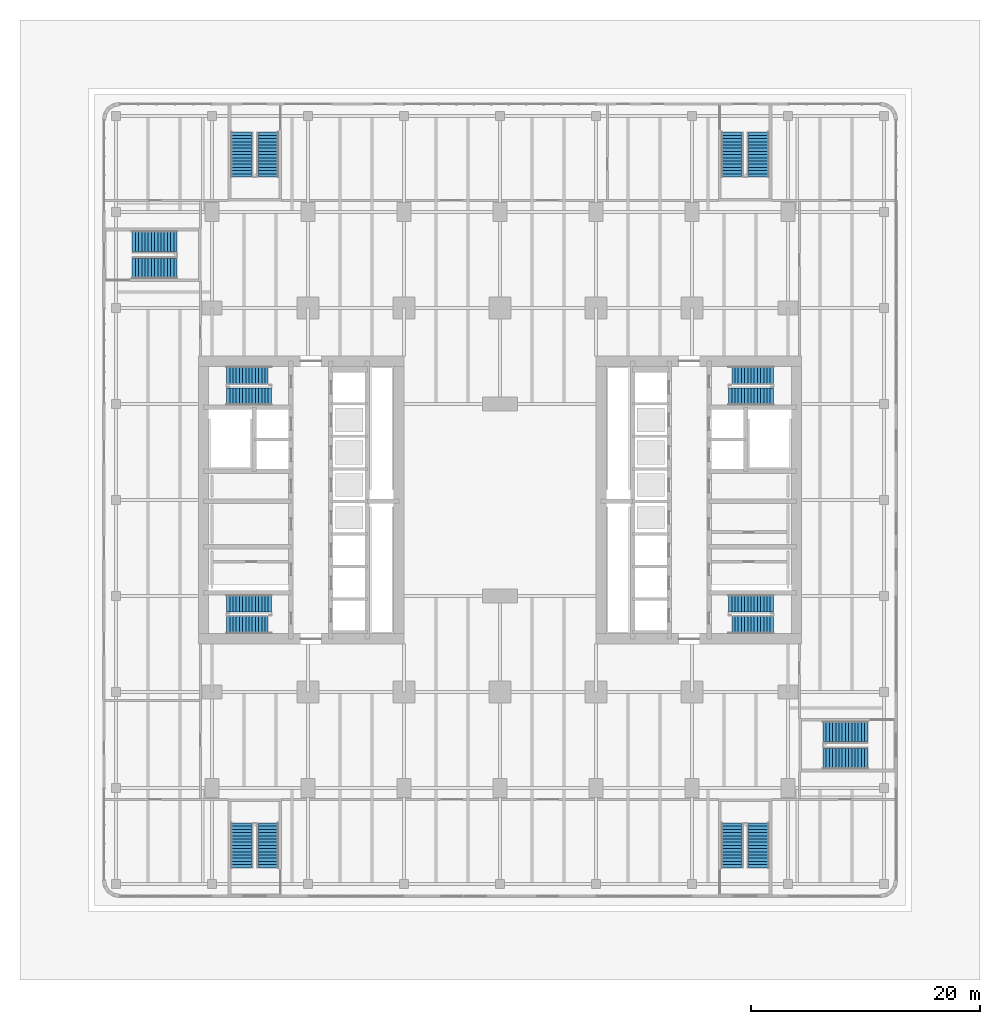
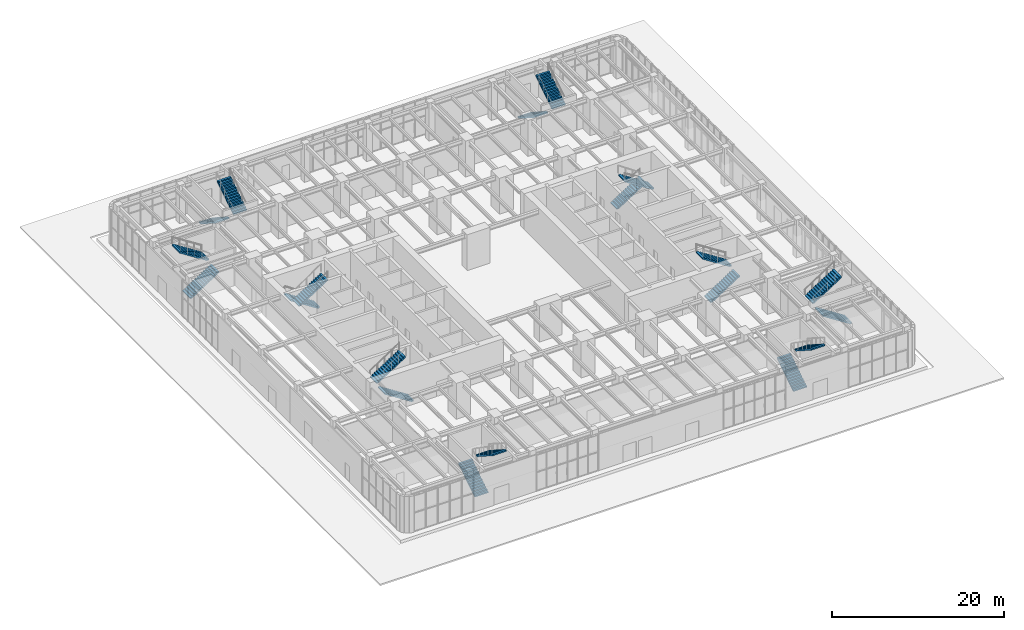
# One storey, part 23 of 31: 20 stair flights, 10 elements without a shape of their own.
"""IFC4 building model written with IfcOpenShell, lengths in metres."""

from ifc_helpers import new_model, si_unit, direction, frame, origin, place, context, subcontext, project, spatial, polyline, outline, extrude, material, type_object, element, aggregate, save


model = new_model("IFC4")

# Units and contexts
model_context = context("Model", 3, precision=1e-05, world=origin(), true_north=direction((0.0, 1.0)))
body_context = subcontext(model_context, "Body", "Model", "MODEL_VIEW")
ifc_project = project(units=[si_unit("LENGTHUNIT", "METRE"), si_unit("AREAUNIT", "SQUARE_METRE"), si_unit("VOLUMEUNIT", "CUBIC_METRE"), si_unit("PLANEANGLEUNIT", "RADIAN"), si_unit("MASSUNIT", "GRAM", prefix="KILO")], contexts=[model_context])

# Site, building, storey
site_placement = place(None, origin())
site = spatial("IfcSite", under=ifc_project, at=site_placement, CompositionType="ELEMENT")
building_placement = place(site_placement, origin())
building = spatial("IfcBuilding", under=site, at=building_placement, Name="Claustro Exchange Tower", CompositionType="ELEMENT")
storey_placement = place(building_placement, origin())
storey = spatial("IfcBuildingStorey", under=building, at=storey_placement, Name="L00", CompositionType="ELEMENT", Elevation=0.0)

# Stair, stair flights
ifc_material_1 = material(Name="Concrete HA-30 (C30/37), precast", Category="concrete")
stair_type_1 = type_object("IfcStairType", Name="ST3 half-turn stair, 30 risers of 180", PredefinedType="HALF_TURN_STAIR", material=ifc_material_1)
stair_1_placement = place(storey_placement, origin())
stair_1 = element("IfcStair", 1, at=stair_1_placement, inside=storey, type_object=stair_type_1, Name="Stair STWA L00", PredefinedType="HALF_TURN_STAIR")
ifc_material_2 = material(Name="Concrete HA-30 (C30/37), precast", Category="concrete")
stair_flight_type_1 = type_object("IfcStairFlightType", Name="SF15 straight flight, 15 risers of 180, 1500 wide", PredefinedType="STRAIGHT", material=ifc_material_2)
stair_flight_1_placement = place(storey_placement, frame((5.199951171875, 14.25, 0.0), z_axis=(0.0, 0.0, 1.0), x_axis=(-1.0, 0.0, 0.0)))
stair_flight_1 = element("IfcStairFlight", 2, at=stair_flight_1_placement, type_object=stair_flight_type_1, Name="STWA flight 1", NumberOfRisers=15, NumberOfTreads=14, PredefinedType="STRAIGHT", RiserHeight=0.18, TreadLength=0.28, context=body_context, shape_type="SweptSolid", body=[
    extrude(outline(polyline([(0.0, 0.0), (0.0, 0.179931640625), (0.280029296875, 0.179931640625), (0.280029296875, 0.360107421875), (0.56005859375, 0.360107421875), (0.56005859375, 0.5400390625), (0.840087890625, 0.5400390625), (0.840087890625, 0.719970703125), (1.1201171875, 0.719970703125), (1.1201171875, 0.89990234375), (1.39990234375, 0.89990234375), (1.39990234375, 1.080078125), (1.679931640625, 1.080078125), (1.679931640625, 1.260009765625), (1.9599609375, 1.260009765625), (1.9599609375, 1.43994140625), (2.239990234375, 1.43994140625), (2.239990234375, 1.6201171875), (2.52001953125, 1.6201171875), (2.52001953125, 1.800048828125), (2.800048828125, 1.800048828125), (2.800048828125, 1.97998046875), (3.080078125, 1.97998046875), (3.080078125, 2.159912109375), (3.360107421875, 2.159912109375), (3.360107421875, 2.340087890625), (3.639892578125, 2.340087890625), (3.639892578125, 2.52001953125), (3.919921875, 2.52001953125), (3.919921875, 2.699951171875), (3.919921875, 2.341796875), (0.277099609375, 0.0), (0.0, 0.0)])), frame((0.0, 0.75, 0.0), z_axis=(0.0, -1.0, 0.0), x_axis=(1.0, 0.0, 0.0)), (0.0, 0.0, 1.0), 1.5),
])
stair_flight_2_placement = place(storey_placement, frame((1.280029296875, 16.14990234375, 2.699951171875), z_axis=(0.0, 0.0, 1.0), x_axis=(1.0, 0.0, 0.0)))
stair_flight_2 = element("IfcStairFlight", 3, at=stair_flight_2_placement, type_object=stair_flight_type_1, Name="STWA flight 2", NumberOfRisers=15, NumberOfTreads=14, PredefinedType="STRAIGHT", RiserHeight=0.18, TreadLength=0.28, context=body_context, shape_type="SweptSolid", body=[
    extrude(outline(polyline([(0.0, 0.0), (0.0, 0.179931640625), (0.280029296875, 0.179931640625), (0.280029296875, 0.360107421875), (0.56005859375, 0.360107421875), (0.56005859375, 0.5400390625), (0.840087890625, 0.5400390625), (0.840087890625, 0.719970703125), (1.1201171875, 0.719970703125), (1.1201171875, 0.89990234375), (1.39990234375, 0.89990234375), (1.39990234375, 1.080078125), (1.679931640625, 1.080078125), (1.679931640625, 1.260009765625), (1.9599609375, 1.260009765625), (1.9599609375, 1.43994140625), (2.239990234375, 1.43994140625), (2.239990234375, 1.6201171875), (2.52001953125, 1.6201171875), (2.52001953125, 1.800048828125), (2.800048828125, 1.800048828125), (2.800048828125, 1.97998046875), (3.080078125, 1.97998046875), (3.080078125, 2.159912109375), (3.360107421875, 2.159912109375), (3.360107421875, 2.340087890625), (3.639892578125, 2.340087890625), (3.639892578125, 2.52001953125), (3.919921875, 2.52001953125), (3.919921875, 2.699951171875), (3.919921875, 2.341796875), (0.277099609375, 0.0), (0.0, 0.0)])), frame((0.0, 0.75, 0.0), z_axis=(0.0, -1.0, 0.0), x_axis=(1.0, 0.0, 0.0)), (0.0, 0.0, 1.0), 1.5),
])
aggregate(stair_1, [stair_flight_1, stair_flight_2])

stair_2_placement = place(storey_placement, origin())
stair_2 = element("IfcStair", 4, at=stair_2_placement, inside=storey, type_object=stair_type_1, Name="Stair STWB L00", PredefinedType="HALF_TURN_STAIR")
stair_flight_3_placement = place(storey_placement, frame((5.199951171875, 36.14990234375, 0.0), z_axis=(0.0, 0.0, 1.0), x_axis=(-1.0, 0.0, 0.0)))
stair_flight_3 = element("IfcStairFlight", 5, at=stair_flight_3_placement, type_object=stair_flight_type_1, Name="STWB flight 1", NumberOfRisers=15, NumberOfTreads=14, PredefinedType="STRAIGHT", RiserHeight=0.18, TreadLength=0.28, context=body_context, shape_type="SweptSolid", body=[
    extrude(outline(polyline([(0.0, 0.0), (0.0, 0.179931640625), (0.280029296875, 0.179931640625), (0.280029296875, 0.360107421875), (0.56005859375, 0.360107421875), (0.56005859375, 0.5400390625), (0.840087890625, 0.5400390625), (0.840087890625, 0.719970703125), (1.1201171875, 0.719970703125), (1.1201171875, 0.89990234375), (1.39990234375, 0.89990234375), (1.39990234375, 1.080078125), (1.679931640625, 1.080078125), (1.679931640625, 1.260009765625), (1.9599609375, 1.260009765625), (1.9599609375, 1.43994140625), (2.239990234375, 1.43994140625), (2.239990234375, 1.6201171875), (2.52001953125, 1.6201171875), (2.52001953125, 1.800048828125), (2.800048828125, 1.800048828125), (2.800048828125, 1.97998046875), (3.080078125, 1.97998046875), (3.080078125, 2.159912109375), (3.360107421875, 2.159912109375), (3.360107421875, 2.340087890625), (3.639892578125, 2.340087890625), (3.639892578125, 2.52001953125), (3.919921875, 2.52001953125), (3.919921875, 2.699951171875), (3.919921875, 2.341796875), (0.277099609375, 0.0), (0.0, 0.0)])), frame((0.0, 0.75, 0.0), z_axis=(0.0, -1.0, 0.0), x_axis=(1.0, 0.0, 0.0)), (0.0, 0.0, 1.0), 1.5),
])
stair_flight_4_placement = place(storey_placement, frame((1.280029296875, 34.25, 2.699951171875), z_axis=(0.0, 0.0, 1.0), x_axis=(1.0, 0.0, 0.0)))
stair_flight_4 = element("IfcStairFlight", 6, at=stair_flight_4_placement, type_object=stair_flight_type_1, Name="STWB flight 2", NumberOfRisers=15, NumberOfTreads=14, PredefinedType="STRAIGHT", RiserHeight=0.18, TreadLength=0.28, context=body_context, shape_type="SweptSolid", body=[
    extrude(outline(polyline([(0.0, 0.0), (0.0, 0.179931640625), (0.280029296875, 0.179931640625), (0.280029296875, 0.360107421875), (0.56005859375, 0.360107421875), (0.56005859375, 0.5400390625), (0.840087890625, 0.5400390625), (0.840087890625, 0.719970703125), (1.1201171875, 0.719970703125), (1.1201171875, 0.89990234375), (1.39990234375, 0.89990234375), (1.39990234375, 1.080078125), (1.679931640625, 1.080078125), (1.679931640625, 1.260009765625), (1.9599609375, 1.260009765625), (1.9599609375, 1.43994140625), (2.239990234375, 1.43994140625), (2.239990234375, 1.6201171875), (2.52001953125, 1.6201171875), (2.52001953125, 1.800048828125), (2.800048828125, 1.800048828125), (2.800048828125, 1.97998046875), (3.080078125, 1.97998046875), (3.080078125, 2.159912109375), (3.360107421875, 2.159912109375), (3.360107421875, 2.340087890625), (3.639892578125, 2.340087890625), (3.639892578125, 2.52001953125), (3.919921875, 2.52001953125), (3.919921875, 2.699951171875), (3.919921875, 2.341796875), (0.277099609375, 0.0), (0.0, 0.0)])), frame((0.0, 0.75, 0.0), z_axis=(0.0, -1.0, 0.0), x_axis=(1.0, 0.0, 0.0)), (0.0, 0.0, 1.0), 1.5),
])
aggregate(stair_2, [stair_flight_3, stair_flight_4])

stair_3_placement = place(storey_placement, origin())
stair_3 = element("IfcStair", 7, at=stair_3_placement, inside=storey, type_object=stair_type_1, Name="Stair STEA L00", PredefinedType="HALF_TURN_STAIR")
stair_flight_5_placement = place(storey_placement, frame((45.199951171875, 14.25, 0.0), z_axis=(0.0, 0.0, 1.0), x_axis=(1.0, 0.0, 0.0)))
stair_flight_5 = element("IfcStairFlight", 8, at=stair_flight_5_placement, type_object=stair_flight_type_1, Name="STEA flight 1", NumberOfRisers=15, NumberOfTreads=14, PredefinedType="STRAIGHT", RiserHeight=0.18, TreadLength=0.28, context=body_context, shape_type="SweptSolid", body=[
    extrude(outline(polyline([(0.0, 0.0), (0.0, 0.179931640625), (0.280029296875, 0.179931640625), (0.280029296875, 0.360107421875), (0.56005859375, 0.360107421875), (0.56005859375, 0.5400390625), (0.840087890625, 0.5400390625), (0.840087890625, 0.719970703125), (1.1201171875, 0.719970703125), (1.1201171875, 0.89990234375), (1.39990234375, 0.89990234375), (1.39990234375, 1.080078125), (1.679931640625, 1.080078125), (1.679931640625, 1.260009765625), (1.9599609375, 1.260009765625), (1.9599609375, 1.43994140625), (2.239990234375, 1.43994140625), (2.239990234375, 1.6201171875), (2.52001953125, 1.6201171875), (2.52001953125, 1.800048828125), (2.800048828125, 1.800048828125), (2.800048828125, 1.97998046875), (3.080078125, 1.97998046875), (3.080078125, 2.159912109375), (3.360107421875, 2.159912109375), (3.360107421875, 2.340087890625), (3.639892578125, 2.340087890625), (3.639892578125, 2.52001953125), (3.919921875, 2.52001953125), (3.919921875, 2.699951171875), (3.919921875, 2.341796875), (0.277099609375, 0.0), (0.0, 0.0)])), frame((0.0, 0.75, 0.0), z_axis=(0.0, -1.0, 0.0), x_axis=(1.0, 0.0, 0.0)), (0.0, 0.0, 1.0), 1.5),
])
stair_flight_6_placement = place(storey_placement, frame((49.1201171875, 16.14990234375, 2.699951171875), z_axis=(0.0, 0.0, 1.0), x_axis=(-1.0, 0.0, 0.0)))
stair_flight_6 = element("IfcStairFlight", 9, at=stair_flight_6_placement, type_object=stair_flight_type_1, Name="STEA flight 2", NumberOfRisers=15, NumberOfTreads=14, PredefinedType="STRAIGHT", RiserHeight=0.18, TreadLength=0.28, context=body_context, shape_type="SweptSolid", body=[
    extrude(outline(polyline([(0.0, 0.0), (0.0, 0.179931640625), (0.280029296875, 0.179931640625), (0.280029296875, 0.360107421875), (0.56005859375, 0.360107421875), (0.56005859375, 0.5400390625), (0.840087890625, 0.5400390625), (0.840087890625, 0.719970703125), (1.1201171875, 0.719970703125), (1.1201171875, 0.89990234375), (1.39990234375, 0.89990234375), (1.39990234375, 1.080078125), (1.679931640625, 1.080078125), (1.679931640625, 1.260009765625), (1.9599609375, 1.260009765625), (1.9599609375, 1.43994140625), (2.239990234375, 1.43994140625), (2.239990234375, 1.6201171875), (2.52001953125, 1.6201171875), (2.52001953125, 1.800048828125), (2.800048828125, 1.800048828125), (2.800048828125, 1.97998046875), (3.080078125, 1.97998046875), (3.080078125, 2.159912109375), (3.360107421875, 2.159912109375), (3.360107421875, 2.340087890625), (3.639892578125, 2.340087890625), (3.639892578125, 2.52001953125), (3.919921875, 2.52001953125), (3.919921875, 2.699951171875), (3.919921875, 2.341796875), (0.277099609375, 0.0), (0.0, 0.0)])), frame((0.0, 0.75, 0.0), z_axis=(0.0, -1.0, 0.0), x_axis=(1.0, 0.0, 0.0)), (0.0, 0.0, 1.0), 1.5),
])
aggregate(stair_3, [stair_flight_5, stair_flight_6])

stair_4_placement = place(storey_placement, origin())
stair_4 = element("IfcStair", 10, at=stair_4_placement, inside=storey, type_object=stair_type_1, Name="Stair STEB L00", PredefinedType="HALF_TURN_STAIR")
stair_flight_7_placement = place(storey_placement, frame((45.199951171875, 36.14990234375, 0.0), z_axis=(0.0, 0.0, 1.0), x_axis=(1.0, 0.0, 0.0)))
stair_flight_7 = element("IfcStairFlight", 11, at=stair_flight_7_placement, type_object=stair_flight_type_1, Name="STEB flight 1", NumberOfRisers=15, NumberOfTreads=14, PredefinedType="STRAIGHT", RiserHeight=0.18, TreadLength=0.28, context=body_context, shape_type="SweptSolid", body=[
    extrude(outline(polyline([(0.0, 0.0), (0.0, 0.179931640625), (0.280029296875, 0.179931640625), (0.280029296875, 0.360107421875), (0.56005859375, 0.360107421875), (0.56005859375, 0.5400390625), (0.840087890625, 0.5400390625), (0.840087890625, 0.719970703125), (1.1201171875, 0.719970703125), (1.1201171875, 0.89990234375), (1.39990234375, 0.89990234375), (1.39990234375, 1.080078125), (1.679931640625, 1.080078125), (1.679931640625, 1.260009765625), (1.9599609375, 1.260009765625), (1.9599609375, 1.43994140625), (2.239990234375, 1.43994140625), (2.239990234375, 1.6201171875), (2.52001953125, 1.6201171875), (2.52001953125, 1.800048828125), (2.800048828125, 1.800048828125), (2.800048828125, 1.97998046875), (3.080078125, 1.97998046875), (3.080078125, 2.159912109375), (3.360107421875, 2.159912109375), (3.360107421875, 2.340087890625), (3.639892578125, 2.340087890625), (3.639892578125, 2.52001953125), (3.919921875, 2.52001953125), (3.919921875, 2.699951171875), (3.919921875, 2.341796875), (0.277099609375, 0.0), (0.0, 0.0)])), frame((0.0, 0.75, 0.0), z_axis=(0.0, -1.0, 0.0), x_axis=(1.0, 0.0, 0.0)), (0.0, 0.0, 1.0), 1.5),
])
stair_flight_8_placement = place(storey_placement, frame((49.1201171875, 34.25, 2.699951171875), z_axis=(0.0, 0.0, 1.0), x_axis=(-1.0, 0.0, 0.0)))
stair_flight_8 = element("IfcStairFlight", 12, at=stair_flight_8_placement, type_object=stair_flight_type_1, Name="STEB flight 2", NumberOfRisers=15, NumberOfTreads=14, PredefinedType="STRAIGHT", RiserHeight=0.18, TreadLength=0.28, context=body_context, shape_type="SweptSolid", body=[
    extrude(outline(polyline([(0.0, 0.0), (0.0, 0.179931640625), (0.280029296875, 0.179931640625), (0.280029296875, 0.360107421875), (0.56005859375, 0.360107421875), (0.56005859375, 0.5400390625), (0.840087890625, 0.5400390625), (0.840087890625, 0.719970703125), (1.1201171875, 0.719970703125), (1.1201171875, 0.89990234375), (1.39990234375, 0.89990234375), (1.39990234375, 1.080078125), (1.679931640625, 1.080078125), (1.679931640625, 1.260009765625), (1.9599609375, 1.260009765625), (1.9599609375, 1.43994140625), (2.239990234375, 1.43994140625), (2.239990234375, 1.6201171875), (2.52001953125, 1.6201171875), (2.52001953125, 1.800048828125), (2.800048828125, 1.800048828125), (2.800048828125, 1.97998046875), (3.080078125, 1.97998046875), (3.080078125, 2.159912109375), (3.360107421875, 2.159912109375), (3.360107421875, 2.340087890625), (3.639892578125, 2.340087890625), (3.639892578125, 2.52001953125), (3.919921875, 2.52001953125), (3.919921875, 2.699951171875), (3.919921875, 2.341796875), (0.277099609375, 0.0), (0.0, 0.0)])), frame((0.0, 0.75, 0.0), z_axis=(0.0, -1.0, 0.0), x_axis=(1.0, 0.0, 0.0)), (0.0, 0.0, 1.0), 1.5),
])
aggregate(stair_4, [stair_flight_7, stair_flight_8])

ifc_material_3 = material(Name="Concrete HA-30 (C30/37), precast", Category="concrete")
stair_type_2 = type_object("IfcStairType", Name="ST4 half-turn podium escape stair, 30 risers of 180, 1800 flights", PredefinedType="HALF_TURN_STAIR", material=ifc_material_3)
stair_5_placement = place(storey_placement, origin())
stair_5 = element("IfcStair", 13, at=stair_5_placement, inside=storey, type_object=stair_type_2, Name="Stair STP1 L00", PredefinedType="HALF_TURN_STAIR")
ifc_material_4 = material(Name="Concrete HA-30 (C30/37), precast", Category="concrete")
stair_flight_type_2 = type_object("IfcStairFlightType", Name="SFP15 straight flight, 15 risers of 180, 1800 wide", PredefinedType="STRAIGHT", material=ifc_material_4)
stair_flight_9_placement = place(storey_placement, frame((2.550048828125, -6.97998046875, 0.0), z_axis=(0.0, 0.0, 1.0), x_axis=(0.0, 1.0, 0.0)))
stair_flight_9 = element("IfcStairFlight", 14, at=stair_flight_9_placement, type_object=stair_flight_type_2, Name="STP1 flight 1", NumberOfRisers=15, NumberOfTreads=14, PredefinedType="STRAIGHT", RiserHeight=0.18, TreadLength=0.28, context=body_context, shape_type="SweptSolid", body=[
    extrude(outline(polyline([(0.0, 0.0), (0.0, 0.179931640625), (0.280029296875, 0.179931640625), (0.280029296875, 0.360107421875), (0.56005859375, 0.360107421875), (0.56005859375, 0.5400390625), (0.840087890625, 0.5400390625), (0.840087890625, 0.719970703125), (1.1201171875, 0.719970703125), (1.1201171875, 0.89990234375), (1.39990234375, 0.89990234375), (1.39990234375, 1.080078125), (1.679931640625, 1.080078125), (1.679931640625, 1.260009765625), (1.9599609375, 1.260009765625), (1.9599609375, 1.43994140625), (2.239990234375, 1.43994140625), (2.239990234375, 1.6201171875), (2.52001953125, 1.6201171875), (2.52001953125, 1.800048828125), (2.800048828125, 1.800048828125), (2.800048828125, 1.97998046875), (3.080078125, 1.97998046875), (3.080078125, 2.159912109375), (3.360107421875, 2.159912109375), (3.360107421875, 2.340087890625), (3.639892578125, 2.340087890625), (3.639892578125, 2.52001953125), (3.919921875, 2.52001953125), (3.919921875, 2.699951171875), (3.919921875, 2.341796875), (0.277099609375, 0.0), (0.0, 0.0)])), frame((0.0, 0.89990234375, 0.0), z_axis=(0.0, -1.0, 0.0), x_axis=(1.0, 0.0, 0.0)), (0.0, 0.0, 1.0), 1.800048828125),
])
stair_flight_10_placement = place(storey_placement, frame((4.949951171875, -3.06005859375, 2.699951171875), z_axis=(0.0, 0.0, 1.0), x_axis=(0.0, -1.0, 0.0)))
stair_flight_10 = element("IfcStairFlight", 15, at=stair_flight_10_placement, type_object=stair_flight_type_2, Name="STP1 flight 2", NumberOfRisers=15, NumberOfTreads=14, PredefinedType="STRAIGHT", RiserHeight=0.18, TreadLength=0.28, context=body_context, shape_type="SweptSolid", body=[
    extrude(outline(polyline([(0.0, 0.0), (0.0, 0.179931640625), (0.280029296875, 0.179931640625), (0.280029296875, 0.360107421875), (0.56005859375, 0.360107421875), (0.56005859375, 0.5400390625), (0.840087890625, 0.5400390625), (0.840087890625, 0.719970703125), (1.1201171875, 0.719970703125), (1.1201171875, 0.89990234375), (1.39990234375, 0.89990234375), (1.39990234375, 1.080078125), (1.679931640625, 1.080078125), (1.679931640625, 1.260009765625), (1.9599609375, 1.260009765625), (1.9599609375, 1.43994140625), (2.239990234375, 1.43994140625), (2.239990234375, 1.6201171875), (2.52001953125, 1.6201171875), (2.52001953125, 1.800048828125), (2.800048828125, 1.800048828125), (2.800048828125, 1.97998046875), (3.080078125, 1.97998046875), (3.080078125, 2.159912109375), (3.360107421875, 2.159912109375), (3.360107421875, 2.340087890625), (3.639892578125, 2.340087890625), (3.639892578125, 2.52001953125), (3.919921875, 2.52001953125), (3.919921875, 2.699951171875), (3.919921875, 2.341796875), (0.277099609375, 0.0), (0.0, 0.0)])), frame((0.0, 0.89990234375, 0.0), z_axis=(0.0, -1.0, 0.0), x_axis=(1.0, 0.0, 0.0)), (0.0, 0.0, 1.0), 1.800048828125),
])
aggregate(stair_5, [stair_flight_9, stair_flight_10])

stair_6_placement = place(storey_placement, origin())
stair_6 = element("IfcStair", 16, at=stair_6_placement, inside=storey, type_object=stair_type_2, Name="Stair STP2 L00", PredefinedType="HALF_TURN_STAIR")
stair_flight_11_placement = place(storey_placement, frame((45.449951171875, -6.97998046875, 0.0), z_axis=(0.0, 0.0, 1.0), x_axis=(0.0, 1.0, 0.0)))
stair_flight_11 = element("IfcStairFlight", 17, at=stair_flight_11_placement, type_object=stair_flight_type_2, Name="STP2 flight 1", NumberOfRisers=15, NumberOfTreads=14, PredefinedType="STRAIGHT", RiserHeight=0.18, TreadLength=0.28, context=body_context, shape_type="SweptSolid", body=[
    extrude(outline(polyline([(0.0, 0.0), (0.0, 0.179931640625), (0.280029296875, 0.179931640625), (0.280029296875, 0.360107421875), (0.56005859375, 0.360107421875), (0.56005859375, 0.5400390625), (0.840087890625, 0.5400390625), (0.840087890625, 0.719970703125), (1.1201171875, 0.719970703125), (1.1201171875, 0.89990234375), (1.39990234375, 0.89990234375), (1.39990234375, 1.080078125), (1.679931640625, 1.080078125), (1.679931640625, 1.260009765625), (1.9599609375, 1.260009765625), (1.9599609375, 1.43994140625), (2.239990234375, 1.43994140625), (2.239990234375, 1.6201171875), (2.52001953125, 1.6201171875), (2.52001953125, 1.800048828125), (2.800048828125, 1.800048828125), (2.800048828125, 1.97998046875), (3.080078125, 1.97998046875), (3.080078125, 2.159912109375), (3.360107421875, 2.159912109375), (3.360107421875, 2.340087890625), (3.639892578125, 2.340087890625), (3.639892578125, 2.52001953125), (3.919921875, 2.52001953125), (3.919921875, 2.699951171875), (3.919921875, 2.341796875), (0.277099609375, 0.0), (0.0, 0.0)])), frame((0.0, 0.89990234375, 0.0), z_axis=(0.0, -1.0, 0.0), x_axis=(1.0, 0.0, 0.0)), (0.0, 0.0, 1.0), 1.800048828125),
])
stair_flight_12_placement = place(storey_placement, frame((47.85009765625, -3.06005859375, 2.699951171875), z_axis=(0.0, 0.0, 1.0), x_axis=(0.0, -1.0, 0.0)))
stair_flight_12 = element("IfcStairFlight", 18, at=stair_flight_12_placement, type_object=stair_flight_type_2, Name="STP2 flight 2", NumberOfRisers=15, NumberOfTreads=14, PredefinedType="STRAIGHT", RiserHeight=0.18, TreadLength=0.28, context=body_context, shape_type="SweptSolid", body=[
    extrude(outline(polyline([(0.0, 0.0), (0.0, 0.179931640625), (0.280029296875, 0.179931640625), (0.280029296875, 0.360107421875), (0.56005859375, 0.360107421875), (0.56005859375, 0.5400390625), (0.840087890625, 0.5400390625), (0.840087890625, 0.719970703125), (1.1201171875, 0.719970703125), (1.1201171875, 0.89990234375), (1.39990234375, 0.89990234375), (1.39990234375, 1.080078125), (1.679931640625, 1.080078125), (1.679931640625, 1.260009765625), (1.9599609375, 1.260009765625), (1.9599609375, 1.43994140625), (2.239990234375, 1.43994140625), (2.239990234375, 1.6201171875), (2.52001953125, 1.6201171875), (2.52001953125, 1.800048828125), (2.800048828125, 1.800048828125), (2.800048828125, 1.97998046875), (3.080078125, 1.97998046875), (3.080078125, 2.159912109375), (3.360107421875, 2.159912109375), (3.360107421875, 2.340087890625), (3.639892578125, 2.340087890625), (3.639892578125, 2.52001953125), (3.919921875, 2.52001953125), (3.919921875, 2.699951171875), (3.919921875, 2.341796875), (0.277099609375, 0.0), (0.0, 0.0)])), frame((0.0, 0.89990234375, 0.0), z_axis=(0.0, -1.0, 0.0), x_axis=(1.0, 0.0, 0.0)), (0.0, 0.0, 1.0), 1.800048828125),
])
aggregate(stair_6, [stair_flight_11, stair_flight_12])

stair_7_placement = place(storey_placement, origin())
stair_7 = element("IfcStair", 19, at=stair_7_placement, inside=storey, type_object=stair_type_2, Name="Stair STP3 L00", PredefinedType="HALF_TURN_STAIR")
stair_flight_13_placement = place(storey_placement, frame((2.550048828125, 57.3798828125, 0.0), z_axis=(0.0, 0.0, 1.0), x_axis=(0.0, -1.0, 0.0)))
stair_flight_13 = element("IfcStairFlight", 20, at=stair_flight_13_placement, type_object=stair_flight_type_2, Name="STP3 flight 1", NumberOfRisers=15, NumberOfTreads=14, PredefinedType="STRAIGHT", RiserHeight=0.18, TreadLength=0.28, context=body_context, shape_type="SweptSolid", body=[
    extrude(outline(polyline([(0.0, 0.0), (0.0, 0.179931640625), (0.280029296875, 0.179931640625), (0.280029296875, 0.360107421875), (0.56005859375, 0.360107421875), (0.56005859375, 0.5400390625), (0.840087890625, 0.5400390625), (0.840087890625, 0.719970703125), (1.1201171875, 0.719970703125), (1.1201171875, 0.89990234375), (1.39990234375, 0.89990234375), (1.39990234375, 1.080078125), (1.679931640625, 1.080078125), (1.679931640625, 1.260009765625), (1.9599609375, 1.260009765625), (1.9599609375, 1.43994140625), (2.239990234375, 1.43994140625), (2.239990234375, 1.6201171875), (2.52001953125, 1.6201171875), (2.52001953125, 1.800048828125), (2.800048828125, 1.800048828125), (2.800048828125, 1.97998046875), (3.080078125, 1.97998046875), (3.080078125, 2.159912109375), (3.360107421875, 2.159912109375), (3.360107421875, 2.340087890625), (3.639892578125, 2.340087890625), (3.639892578125, 2.52001953125), (3.919921875, 2.52001953125), (3.919921875, 2.699951171875), (3.919921875, 2.341796875), (0.277099609375, 0.0), (0.0, 0.0)])), frame((0.0, 0.89990234375, 0.0), z_axis=(0.0, -1.0, 0.0), x_axis=(1.0, 0.0, 0.0)), (0.0, 0.0, 1.0), 1.800048828125),
])
stair_flight_14_placement = place(storey_placement, frame((4.949951171875, 53.4599609375, 2.699951171875), z_axis=(0.0, 0.0, 1.0), x_axis=(0.0, 1.0, 0.0)))
stair_flight_14 = element("IfcStairFlight", 21, at=stair_flight_14_placement, type_object=stair_flight_type_2, Name="STP3 flight 2", NumberOfRisers=15, NumberOfTreads=14, PredefinedType="STRAIGHT", RiserHeight=0.18, TreadLength=0.28, context=body_context, shape_type="SweptSolid", body=[
    extrude(outline(polyline([(0.0, 0.0), (0.0, 0.179931640625), (0.280029296875, 0.179931640625), (0.280029296875, 0.360107421875), (0.56005859375, 0.360107421875), (0.56005859375, 0.5400390625), (0.840087890625, 0.5400390625), (0.840087890625, 0.719970703125), (1.1201171875, 0.719970703125), (1.1201171875, 0.89990234375), (1.39990234375, 0.89990234375), (1.39990234375, 1.080078125), (1.679931640625, 1.080078125), (1.679931640625, 1.260009765625), (1.9599609375, 1.260009765625), (1.9599609375, 1.43994140625), (2.239990234375, 1.43994140625), (2.239990234375, 1.6201171875), (2.52001953125, 1.6201171875), (2.52001953125, 1.800048828125), (2.800048828125, 1.800048828125), (2.800048828125, 1.97998046875), (3.080078125, 1.97998046875), (3.080078125, 2.159912109375), (3.360107421875, 2.159912109375), (3.360107421875, 2.340087890625), (3.639892578125, 2.340087890625), (3.639892578125, 2.52001953125), (3.919921875, 2.52001953125), (3.919921875, 2.699951171875), (3.919921875, 2.341796875), (0.277099609375, 0.0), (0.0, 0.0)])), frame((0.0, 0.89990234375, 0.0), z_axis=(0.0, -1.0, 0.0), x_axis=(1.0, 0.0, 0.0)), (0.0, 0.0, 1.0), 1.800048828125),
])
aggregate(stair_7, [stair_flight_13, stair_flight_14])

stair_8_placement = place(storey_placement, origin())
stair_8 = element("IfcStair", 22, at=stair_8_placement, inside=storey, type_object=stair_type_2, Name="Stair STP4 L00", PredefinedType="HALF_TURN_STAIR")
stair_flight_15_placement = place(storey_placement, frame((45.449951171875, 57.3798828125, 0.0), z_axis=(0.0, 0.0, 1.0), x_axis=(0.0, -1.0, 0.0)))
stair_flight_15 = element("IfcStairFlight", 23, at=stair_flight_15_placement, type_object=stair_flight_type_2, Name="STP4 flight 1", NumberOfRisers=15, NumberOfTreads=14, PredefinedType="STRAIGHT", RiserHeight=0.18, TreadLength=0.28, context=body_context, shape_type="SweptSolid", body=[
    extrude(outline(polyline([(0.0, 0.0), (0.0, 0.179931640625), (0.280029296875, 0.179931640625), (0.280029296875, 0.360107421875), (0.56005859375, 0.360107421875), (0.56005859375, 0.5400390625), (0.840087890625, 0.5400390625), (0.840087890625, 0.719970703125), (1.1201171875, 0.719970703125), (1.1201171875, 0.89990234375), (1.39990234375, 0.89990234375), (1.39990234375, 1.080078125), (1.679931640625, 1.080078125), (1.679931640625, 1.260009765625), (1.9599609375, 1.260009765625), (1.9599609375, 1.43994140625), (2.239990234375, 1.43994140625), (2.239990234375, 1.6201171875), (2.52001953125, 1.6201171875), (2.52001953125, 1.800048828125), (2.800048828125, 1.800048828125), (2.800048828125, 1.97998046875), (3.080078125, 1.97998046875), (3.080078125, 2.159912109375), (3.360107421875, 2.159912109375), (3.360107421875, 2.340087890625), (3.639892578125, 2.340087890625), (3.639892578125, 2.52001953125), (3.919921875, 2.52001953125), (3.919921875, 2.699951171875), (3.919921875, 2.341796875), (0.277099609375, 0.0), (0.0, 0.0)])), frame((0.0, 0.89990234375, 0.0), z_axis=(0.0, -1.0, 0.0), x_axis=(1.0, 0.0, 0.0)), (0.0, 0.0, 1.0), 1.800048828125),
])
stair_flight_16_placement = place(storey_placement, frame((47.85009765625, 53.4599609375, 2.699951171875), z_axis=(0.0, 0.0, 1.0), x_axis=(0.0, 1.0, 0.0)))
stair_flight_16 = element("IfcStairFlight", 24, at=stair_flight_16_placement, type_object=stair_flight_type_2, Name="STP4 flight 2", NumberOfRisers=15, NumberOfTreads=14, PredefinedType="STRAIGHT", RiserHeight=0.18, TreadLength=0.28, context=body_context, shape_type="SweptSolid", body=[
    extrude(outline(polyline([(0.0, 0.0), (0.0, 0.179931640625), (0.280029296875, 0.179931640625), (0.280029296875, 0.360107421875), (0.56005859375, 0.360107421875), (0.56005859375, 0.5400390625), (0.840087890625, 0.5400390625), (0.840087890625, 0.719970703125), (1.1201171875, 0.719970703125), (1.1201171875, 0.89990234375), (1.39990234375, 0.89990234375), (1.39990234375, 1.080078125), (1.679931640625, 1.080078125), (1.679931640625, 1.260009765625), (1.9599609375, 1.260009765625), (1.9599609375, 1.43994140625), (2.239990234375, 1.43994140625), (2.239990234375, 1.6201171875), (2.52001953125, 1.6201171875), (2.52001953125, 1.800048828125), (2.800048828125, 1.800048828125), (2.800048828125, 1.97998046875), (3.080078125, 1.97998046875), (3.080078125, 2.159912109375), (3.360107421875, 2.159912109375), (3.360107421875, 2.340087890625), (3.639892578125, 2.340087890625), (3.639892578125, 2.52001953125), (3.919921875, 2.52001953125), (3.919921875, 2.699951171875), (3.919921875, 2.341796875), (0.277099609375, 0.0), (0.0, 0.0)])), frame((0.0, 0.89990234375, 0.0), z_axis=(0.0, -1.0, 0.0), x_axis=(1.0, 0.0, 0.0)), (0.0, 0.0, 1.0), 1.800048828125),
])
aggregate(stair_8, [stair_flight_15, stair_flight_16])

stair_9_placement = place(storey_placement, origin())
stair_9 = element("IfcStair", 25, at=stair_9_placement, inside=storey, type_object=stair_type_2, Name="Stair STP5 L00", PredefinedType="HALF_TURN_STAIR")
stair_flight_17_placement = place(storey_placement, frame((-6.97998046875, 45.449951171875, 0.0), z_axis=(0.0, 0.0, 1.0), x_axis=(1.0, 0.0, 0.0)))
stair_flight_17 = element("IfcStairFlight", 26, at=stair_flight_17_placement, type_object=stair_flight_type_2, Name="STP5 flight 1", NumberOfRisers=15, NumberOfTreads=14, PredefinedType="STRAIGHT", RiserHeight=0.18, TreadLength=0.28, context=body_context, shape_type="SweptSolid", body=[
    extrude(outline(polyline([(0.0, 0.0), (0.0, 0.179931640625), (0.280029296875, 0.179931640625), (0.280029296875, 0.360107421875), (0.56005859375, 0.360107421875), (0.56005859375, 0.5400390625), (0.840087890625, 0.5400390625), (0.840087890625, 0.719970703125), (1.1201171875, 0.719970703125), (1.1201171875, 0.89990234375), (1.39990234375, 0.89990234375), (1.39990234375, 1.080078125), (1.679931640625, 1.080078125), (1.679931640625, 1.260009765625), (1.9599609375, 1.260009765625), (1.9599609375, 1.43994140625), (2.239990234375, 1.43994140625), (2.239990234375, 1.6201171875), (2.52001953125, 1.6201171875), (2.52001953125, 1.800048828125), (2.800048828125, 1.800048828125), (2.800048828125, 1.97998046875), (3.080078125, 1.97998046875), (3.080078125, 2.159912109375), (3.360107421875, 2.159912109375), (3.360107421875, 2.340087890625), (3.639892578125, 2.340087890625), (3.639892578125, 2.52001953125), (3.919921875, 2.52001953125), (3.919921875, 2.699951171875), (3.919921875, 2.341796875), (0.277099609375, 0.0), (0.0, 0.0)])), frame((0.0, 0.89990234375, 0.0), z_axis=(0.0, -1.0, 0.0), x_axis=(1.0, 0.0, 0.0)), (0.0, 0.0, 1.0), 1.800048828125),
])
stair_flight_18_placement = place(storey_placement, frame((-3.06005859375, 47.85009765625, 2.699951171875), z_axis=(0.0, 0.0, 1.0), x_axis=(-1.0, 0.0, 0.0)))
stair_flight_18 = element("IfcStairFlight", 27, at=stair_flight_18_placement, type_object=stair_flight_type_2, Name="STP5 flight 2", NumberOfRisers=15, NumberOfTreads=14, PredefinedType="STRAIGHT", RiserHeight=0.18, TreadLength=0.28, context=body_context, shape_type="SweptSolid", body=[
    extrude(outline(polyline([(0.0, 0.0), (0.0, 0.179931640625), (0.280029296875, 0.179931640625), (0.280029296875, 0.360107421875), (0.56005859375, 0.360107421875), (0.56005859375, 0.5400390625), (0.840087890625, 0.5400390625), (0.840087890625, 0.719970703125), (1.1201171875, 0.719970703125), (1.1201171875, 0.89990234375), (1.39990234375, 0.89990234375), (1.39990234375, 1.080078125), (1.679931640625, 1.080078125), (1.679931640625, 1.260009765625), (1.9599609375, 1.260009765625), (1.9599609375, 1.43994140625), (2.239990234375, 1.43994140625), (2.239990234375, 1.6201171875), (2.52001953125, 1.6201171875), (2.52001953125, 1.800048828125), (2.800048828125, 1.800048828125), (2.800048828125, 1.97998046875), (3.080078125, 1.97998046875), (3.080078125, 2.159912109375), (3.360107421875, 2.159912109375), (3.360107421875, 2.340087890625), (3.639892578125, 2.340087890625), (3.639892578125, 2.52001953125), (3.919921875, 2.52001953125), (3.919921875, 2.699951171875), (3.919921875, 2.341796875), (0.277099609375, 0.0), (0.0, 0.0)])), frame((0.0, 0.89990234375, 0.0), z_axis=(0.0, -1.0, 0.0), x_axis=(1.0, 0.0, 0.0)), (0.0, 0.0, 1.0), 1.800048828125),
])
aggregate(stair_9, [stair_flight_17, stair_flight_18])

stair_10_placement = place(storey_placement, origin())
stair_10 = element("IfcStair", 28, at=stair_10_placement, inside=storey, type_object=stair_type_2, Name="Stair STP6 L00", PredefinedType="HALF_TURN_STAIR")
stair_flight_19_placement = place(storey_placement, frame((57.3798828125, 2.550048828125, 0.0), z_axis=(0.0, 0.0, 1.0), x_axis=(-1.0, 0.0, 0.0)))
stair_flight_19 = element("IfcStairFlight", 29, at=stair_flight_19_placement, type_object=stair_flight_type_2, Name="STP6 flight 1", NumberOfRisers=15, NumberOfTreads=14, PredefinedType="STRAIGHT", RiserHeight=0.18, TreadLength=0.28, context=body_context, shape_type="SweptSolid", body=[
    extrude(outline(polyline([(0.0, 0.0), (0.0, 0.179931640625), (0.280029296875, 0.179931640625), (0.280029296875, 0.360107421875), (0.56005859375, 0.360107421875), (0.56005859375, 0.5400390625), (0.840087890625, 0.5400390625), (0.840087890625, 0.719970703125), (1.1201171875, 0.719970703125), (1.1201171875, 0.89990234375), (1.39990234375, 0.89990234375), (1.39990234375, 1.080078125), (1.679931640625, 1.080078125), (1.679931640625, 1.260009765625), (1.9599609375, 1.260009765625), (1.9599609375, 1.43994140625), (2.239990234375, 1.43994140625), (2.239990234375, 1.6201171875), (2.52001953125, 1.6201171875), (2.52001953125, 1.800048828125), (2.800048828125, 1.800048828125), (2.800048828125, 1.97998046875), (3.080078125, 1.97998046875), (3.080078125, 2.159912109375), (3.360107421875, 2.159912109375), (3.360107421875, 2.340087890625), (3.639892578125, 2.340087890625), (3.639892578125, 2.52001953125), (3.919921875, 2.52001953125), (3.919921875, 2.699951171875), (3.919921875, 2.341796875), (0.277099609375, 0.0), (0.0, 0.0)])), frame((0.0, 0.89990234375, 0.0), z_axis=(0.0, -1.0, 0.0), x_axis=(1.0, 0.0, 0.0)), (0.0, 0.0, 1.0), 1.800048828125),
])
stair_flight_20_placement = place(storey_placement, frame((53.4599609375, 4.949951171875, 2.699951171875), z_axis=(0.0, 0.0, 1.0), x_axis=(1.0, 0.0, 0.0)))
stair_flight_20 = element("IfcStairFlight", 30, at=stair_flight_20_placement, type_object=stair_flight_type_2, Name="STP6 flight 2", NumberOfRisers=15, NumberOfTreads=14, PredefinedType="STRAIGHT", RiserHeight=0.18, TreadLength=0.28, context=body_context, shape_type="SweptSolid", body=[
    extrude(outline(polyline([(0.0, 0.0), (0.0, 0.179931640625), (0.280029296875, 0.179931640625), (0.280029296875, 0.360107421875), (0.56005859375, 0.360107421875), (0.56005859375, 0.5400390625), (0.840087890625, 0.5400390625), (0.840087890625, 0.719970703125), (1.1201171875, 0.719970703125), (1.1201171875, 0.89990234375), (1.39990234375, 0.89990234375), (1.39990234375, 1.080078125), (1.679931640625, 1.080078125), (1.679931640625, 1.260009765625), (1.9599609375, 1.260009765625), (1.9599609375, 1.43994140625), (2.239990234375, 1.43994140625), (2.239990234375, 1.6201171875), (2.52001953125, 1.6201171875), (2.52001953125, 1.800048828125), (2.800048828125, 1.800048828125), (2.800048828125, 1.97998046875), (3.080078125, 1.97998046875), (3.080078125, 2.159912109375), (3.360107421875, 2.159912109375), (3.360107421875, 2.340087890625), (3.639892578125, 2.340087890625), (3.639892578125, 2.52001953125), (3.919921875, 2.52001953125), (3.919921875, 2.699951171875), (3.919921875, 2.341796875), (0.277099609375, 0.0), (0.0, 0.0)])), frame((0.0, 0.89990234375, 0.0), z_axis=(0.0, -1.0, 0.0), x_axis=(1.0, 0.0, 0.0)), (0.0, 0.0, 1.0), 1.800048828125),
])
aggregate(stair_10, [stair_flight_19, stair_flight_20])

save(model, "model.ifc")
